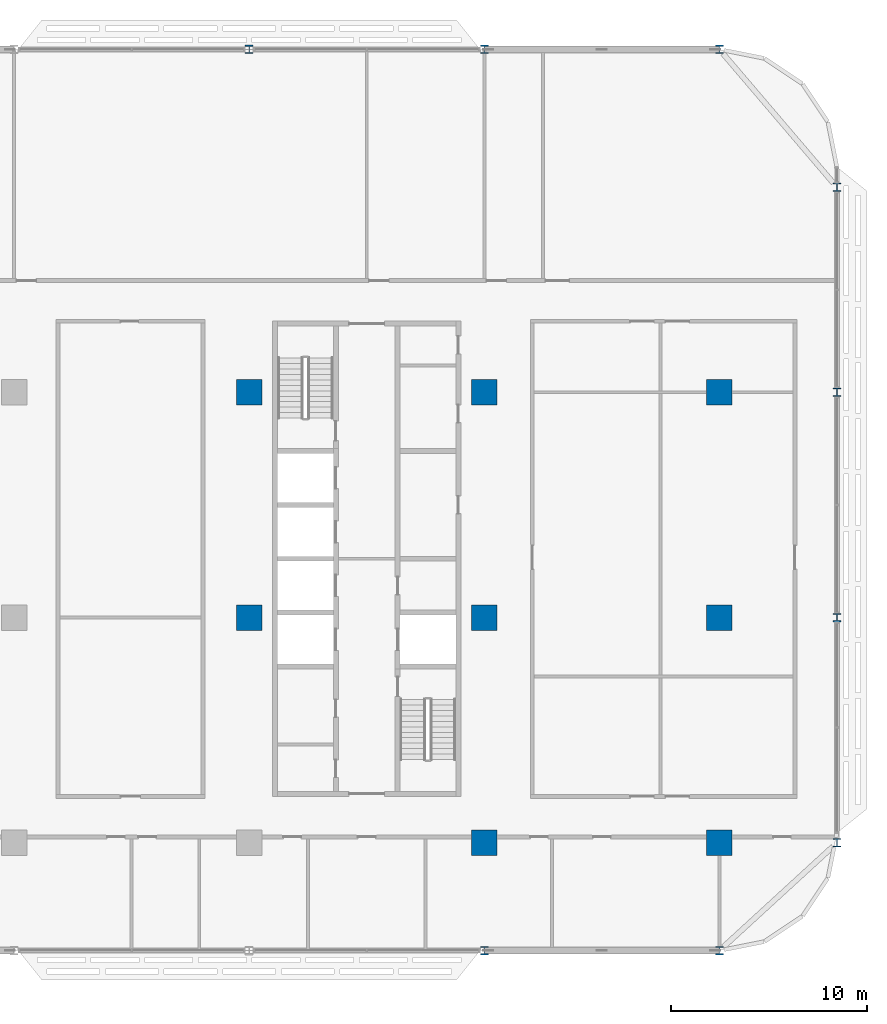
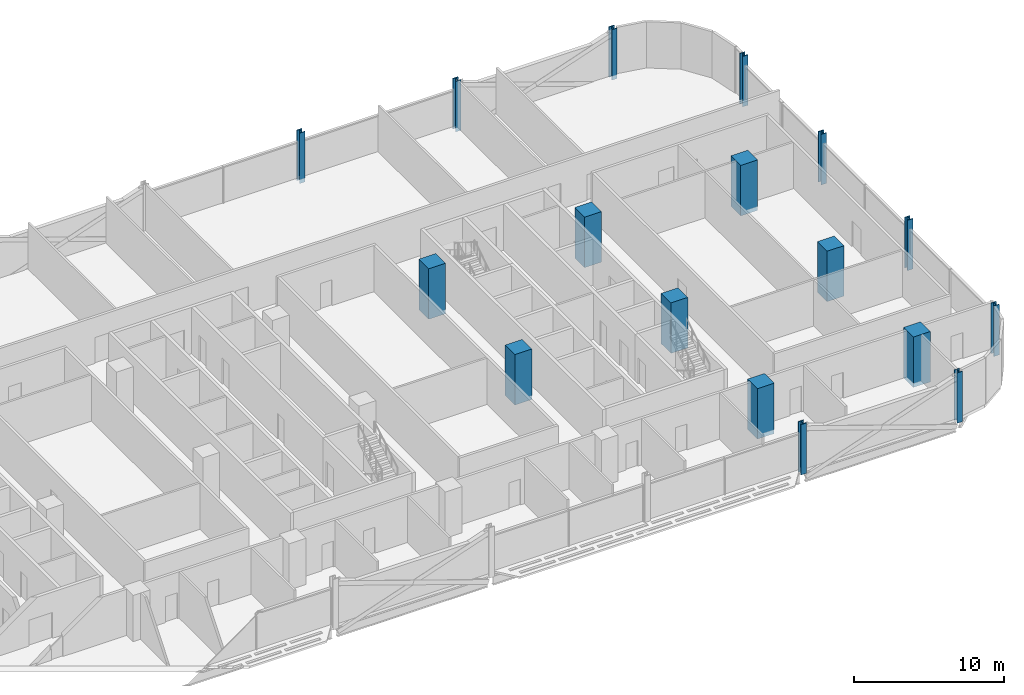
# One storey, part 2 of 29: 17 columns.
"""IFC4 building model written with IfcOpenShell, lengths in metres."""

from ifc_helpers import new_model, si_unit, direction, frame, origin, origin_2d, place, context, subcontext, project, spatial, rectangle, i_section, extrude, material, material_profile, profile_set, type_object, element, save


model = new_model("IFC4")

# Units and contexts
model_context = context("Model", 3, precision=1e-05, world=origin(), true_north=direction((0.0, 1.0)))
body_context = subcontext(model_context, "Body", "Model", "MODEL_VIEW")
ifc_project = project(units=[si_unit("LENGTHUNIT", "METRE"), si_unit("AREAUNIT", "SQUARE_METRE"), si_unit("VOLUMEUNIT", "CUBIC_METRE"), si_unit("PLANEANGLEUNIT", "RADIAN"), si_unit("MASSUNIT", "GRAM", prefix="KILO")], contexts=[model_context])

# Site, building, storey
site_placement = place(None, origin())
site = spatial("IfcSite", under=ifc_project, at=site_placement, CompositionType="ELEMENT")
building_placement = place(site_placement, origin())
building = spatial("IfcBuilding", under=site, at=building_placement, Name="Mahtab Terrace Research Tower", CompositionType="ELEMENT")
storey_placement = place(building_placement, frame((0.0, 0.0, 146.60009765625)))
storey = spatial("IfcBuildingStorey", under=building, at=storey_placement, Name="L34", CompositionType="ELEMENT", Elevation=146.60009765625)

# Columns
ifc_material_1 = material(Name="Concrete C70/85", Category="concrete")
ifc_material_profile_1 = material_profile(ifc_material_1, rectangle(XDim=1.300048828125, YDim=1.300048828125, at=origin_2d()), Name="RC column 1300x1300")
ifc_profile_set_1 = profile_set([ifc_material_profile_1], Name="Concrete C70/85")
column_type_1 = type_object("IfcColumnType", Name="RC column 1300x1300", PredefinedType="COLUMN", material=ifc_profile_set_1)
for number, where, z_axis, x_axis, name in (
    (1, (18.0, 0.0, -0.340087890625), (0.0, 0.0, 1.0), (1.0, 0.0, 0.0), "Column RC-6B L34"),
    (2, (18.0, 11.5, -0.340087890625), (0.0, 0.0, 1.0), (1.0, 0.0, 0.0), "Column RC-6C L34"),
    (3, (30.0, -11.5, -0.340087890625), (0.0, 0.0, 1.0), (1.0, 0.0, 0.0), "Column RC-7A L34"),
    (4, (30.0, 0.0, -0.340087890625), (0.0, 0.0, 1.0), (1.0, 0.0, 0.0), "Column RC-7B L34"),
    (5, (30.0, 11.5, -0.340087890625), (0.0, 0.0, 1.0), (1.0, 0.0, 0.0), "Column RC-7C L34"),
    (6, (42.0, -11.5, -0.340087890625), (0.0, 0.0, 1.0), (1.0, 0.0, 0.0), "Column RC-8A L34"),
    (7, (42.0, 0.0, -0.340087890625), (0.0, 0.0, 1.0), (1.0, 0.0, 0.0), "Column RC-8B L34"),
    (8, (42.0, 11.5, -0.340087890625), (0.0, 0.0, 1.0), (1.0, 0.0, 0.0), "Column RC-8C L34"),
):
    element("IfcColumn", number, at=place(storey_placement, frame(where, z_axis=z_axis, x_axis=x_axis)), inside=storey, type_object=column_type_1, Name=name, PredefinedType="COLUMN", context=body_context, shape_type="SweptSolid", body=[
        extrude(rectangle(XDim=1.300048828125, YDim=1.300048828125, at=origin_2d()), origin(), (0.0, 0.0, 1.0), 4.10009765625),
    ])
ifc_material_2 = material(Name="Steel ASTM A992 Gr 50", Category="steel")
ifc_material_profile_2 = material_profile(ifc_material_2, i_section(OverallWidth=0.41162109375, OverallDepth=0.434326171875, WebThickness=0.035888671875, FlangeThickness=0.057373046875, at=origin_2d()), Name="W14X311")
ifc_profile_set_2 = profile_set([ifc_material_profile_2], Name="Steel ASTM A992 Gr 50")
column_type_2 = type_object("IfcColumnType", Name="W14x311 column CS14311", PredefinedType="COLUMN", material=ifc_profile_set_2)
for number, where, z_axis, x_axis, name in (
    (9, (42.0, 29.0, -0.340087890625), (0.0, 0.0, 1.0), (1.0, 0.0, 0.0), "Column SC-031 L34"),
    (10, (30.0, 29.0, -0.340087890625), (0.0, 0.0, 1.0), (1.0, 0.0, 0.0), "Column SC-032 L34"),
    (11, (18.0, 29.0, -0.340087890625), (0.0, 0.0, 1.0), (1.0, 0.0, 0.0), "Column SC-033 L34"),
    (12, (30.0, -17.0, -0.340087890625), (0.0, 0.0, 1.0), (1.0, 0.0, 0.0), "Column SC-044 L34"),
    (13, (42.0, -17.0, -0.340087890625), (0.0, 0.0, 1.0), (1.0, 0.0, 0.0), "Column SC-045 L34"),
    (14, (48.0, -11.5, -0.340087890625), (0.0, 0.0, 1.0), (1.0, 0.0, 0.0), "Column SC-020 L34"),
    (15, (48.0, 0.0, -0.340087890625), (0.0, 0.0, 1.0), (1.0, 0.0, 0.0), "Column SC-021 L34"),
    (16, (48.0, 11.5, -0.340087890625), (0.0, 0.0, 1.0), (1.0, 0.0, 0.0), "Column SC-022 L34"),
    (17, (48.0, 21.9619140625, -0.340087890625), (0.0, 0.0, 1.0), (1.0, 0.0, 0.0), "Column SC-050 L34"),
):
    element("IfcColumn", number, at=place(storey_placement, frame(where, z_axis=z_axis, x_axis=x_axis)), inside=storey, type_object=column_type_2, Name=name, PredefinedType="COLUMN", context=body_context, shape_type="SweptSolid", body=[
        extrude(i_section(OverallWidth=0.41162109375, OverallDepth=0.434326171875, WebThickness=0.035888671875, FlangeThickness=0.057373046875, at=origin_2d()), origin(), (0.0, 0.0, 1.0), 4.10009765625),
    ])

save(model, "model.ifc")
